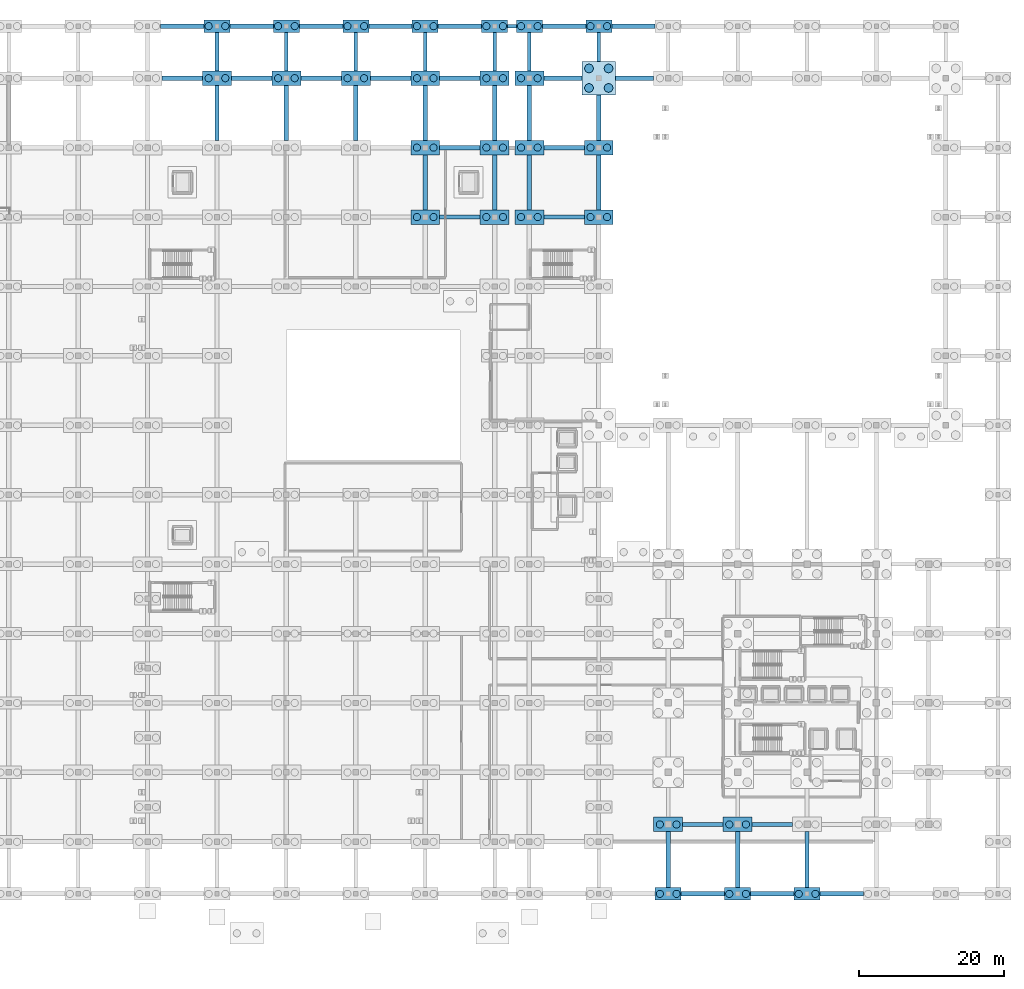
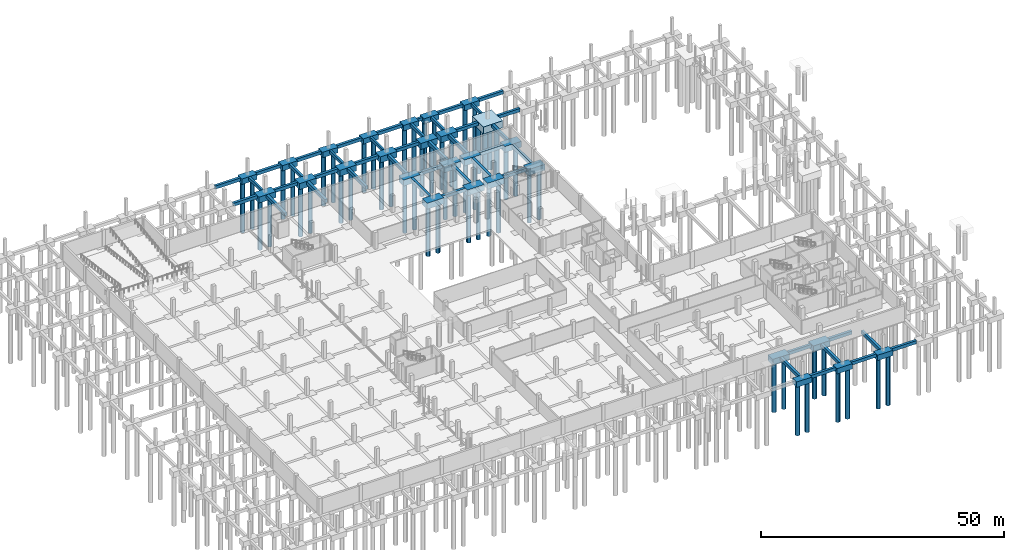
# One storey, part 8 of 54: 72 footings, 56 piles.
"""IFC4 building model written with IfcOpenShell, lengths in metres."""

from ifc_helpers import new_model, si_unit, direction, frame, origin, origin_2d, place, context, subcontext, project, spatial, rectangle, circle, extrude, material, material_profile, profile_set, type_object, element, save


model = new_model("IFC4")

# Units and contexts
model_context = context("Model", 3, precision=1e-05, world=origin(), true_north=direction((0.0, 1.0)))
body_context = subcontext(model_context, "Body", "Model", "MODEL_VIEW")
ifc_project = project(units=[si_unit("LENGTHUNIT", "METRE"), si_unit("AREAUNIT", "SQUARE_METRE"), si_unit("VOLUMEUNIT", "CUBIC_METRE"), si_unit("PLANEANGLEUNIT", "RADIAN"), si_unit("MASSUNIT", "GRAM", prefix="KILO")], contexts=[model_context])

# Site, building, storey
site_placement = place(None, origin())
site = spatial("IfcSite", under=ifc_project, at=site_placement, CompositionType="ELEMENT")
building_placement = place(site_placement, origin())
building = spatial("IfcBuilding", under=site, at=building_placement, Name="Zevrakil Square Congress Hotel", CompositionType="ELEMENT")
storey_placement = place(building_placement, frame((0.0, 0.0, -8.39990234375)))
storey = spatial("IfcBuildingStorey", under=building, at=storey_placement, Name="B2", CompositionType="ELEMENT", Elevation=-8.39990234375)

# Footings
ifc_material_1 = material(Name="Concrete C35/45", Category="concrete")
footing_type_1 = type_object("IfcFootingType", Name="FTG-PC2-360", PredefinedType="PILE_CAP", material=ifc_material_1)
for number, where, z_axis, x_axis, name in (
    (1, (64.800048828125, 120.0, -1.35009765625), (0.0, 0.0, 1.0), (1.0, 0.0, 0.0), "Pile cap PC2-111"),
    (2, (74.39990234375, 120.0, -1.35009765625), (0.0, 0.0, 1.0), (1.0, 0.0, 0.0), "Pile cap PC2-125"),
    (3, (84.0, 120.0, -1.35009765625), (0.0, 0.0, 1.0), (1.0, 0.0, 0.0), "Pile cap PC2-139"),
    (4, (93.60009765625, 120.0, -1.35009765625), (0.0, 0.0, 1.0), (1.0, 0.0, 0.0), "Pile cap PC2-153"),
    (5, (103.199951171875, 120.0, -1.35009765625), (0.0, 0.0, 1.0), (1.0, 0.0, 0.0), "Pile cap PC2-167"),
    (6, (108.0, 120.0, -1.35009765625), (0.0, 0.0, 1.0), (1.0, 0.0, 0.0), "Pile cap PC2-181"),
    (7, (117.60009765625, 120.0, -1.35009765625), (0.0, 0.0, 1.0), (1.0, 0.0, 0.0), "Pile cap PC2-195"),
    (8, (127.199951171875, 0.0, -1.35009765625), (0.0, 0.0, 1.0), (1.0, 0.0, 0.0), "Pile cap PC2-196"),
    (9, (136.800048828125, 0.0, -1.35009765625), (0.0, 0.0, 1.0), (1.0, 0.0, 0.0), "Pile cap PC2-210"),
    (10, (146.39990234375, 0.0, -1.35009765625), (0.0, 0.0, 1.0), (1.0, 0.0, 0.0), "Pile cap PC2-224"),
):
    element("IfcFooting", number, at=place(storey_placement, frame(where, z_axis=z_axis, x_axis=x_axis)), inside=storey, type_object=footing_type_1, Name=name, PredefinedType="PILE_CAP", context=body_context, shape_type="SweptSolid", body=[
        extrude(rectangle(XDim=3.60009765625, YDim=1.699951171875, at=origin_2d()), origin(), (0.0, 0.0, 1.0), 1.35009765625),
    ])
ifc_material_2 = material(Name="Concrete C35/45", Category="concrete")
footing_type_2 = type_object("IfcFootingType", Name="FTG-PC2-400", PredefinedType="PILE_CAP", material=ifc_material_2)
for number, where, z_axis, x_axis, name in (
    (11, (64.800048828125, 112.800048828125, -1.5), (0.0, 0.0, 1.0), (1.0, 0.0, 0.0), "Pile cap PC2-110"),
    (12, (74.39990234375, 112.800048828125, -1.5), (0.0, 0.0, 1.0), (1.0, 0.0, 0.0), "Pile cap PC2-124"),
    (13, (84.0, 112.800048828125, -1.5), (0.0, 0.0, 1.0), (1.0, 0.0, 0.0), "Pile cap PC2-138"),
    (14, (93.60009765625, 93.60009765625, -1.5), (0.0, 0.0, 1.0), (1.0, 0.0, 0.0), "Pile cap PC2-150"),
    (15, (93.60009765625, 103.199951171875, -1.5), (0.0, 0.0, 1.0), (1.0, 0.0, 0.0), "Pile cap PC2-151"),
    (16, (93.60009765625, 112.800048828125, -1.5), (0.0, 0.0, 1.0), (1.0, 0.0, 0.0), "Pile cap PC2-152"),
    (17, (103.199951171875, 93.60009765625, -1.5), (0.0, 0.0, 1.0), (1.0, 0.0, 0.0), "Pile cap PC2-164"),
    (18, (103.199951171875, 103.199951171875, -1.5), (0.0, 0.0, 1.0), (1.0, 0.0, 0.0), "Pile cap PC2-165"),
    (19, (103.199951171875, 112.800048828125, -1.5), (0.0, 0.0, 1.0), (1.0, 0.0, 0.0), "Pile cap PC2-166"),
    (20, (108.0, 93.60009765625, -1.5), (0.0, 0.0, 1.0), (1.0, 0.0, 0.0), "Pile cap PC2-178"),
    (21, (108.0, 103.199951171875, -1.5), (0.0, 0.0, 1.0), (1.0, 0.0, 0.0), "Pile cap PC2-179"),
    (22, (108.0, 112.800048828125, -1.5), (0.0, 0.0, 1.0), (1.0, 0.0, 0.0), "Pile cap PC2-180"),
    (23, (117.60009765625, 93.60009765625, -1.5), (0.0, 0.0, 1.0), (1.0, 0.0, 0.0), "Pile cap PC2-192"),
    (24, (117.60009765625, 103.199951171875, -1.5), (0.0, 0.0, 1.0), (1.0, 0.0, 0.0), "Pile cap PC2-193"),
    (25, (127.199951171875, 9.60009765625, -1.5), (0.0, 0.0, 1.0), (1.0, 0.0, 0.0), "Pile cap PC2-N127-009"),
    (26, (136.800048828125, 9.60009765625, -1.5), (0.0, 0.0, 1.0), (1.0, 0.0, 0.0), "Pile cap PC2-N136-009"),
):
    element("IfcFooting", number, at=place(storey_placement, frame(where, z_axis=z_axis, x_axis=x_axis)), inside=storey, type_object=footing_type_2, Name=name, PredefinedType="PILE_CAP", context=body_context, shape_type="SweptSolid", body=[
        extrude(rectangle(XDim=4.0, YDim=2.0, at=origin_2d()), origin(), (0.0, 0.0, 1.0), 1.5),
    ])
ifc_material_3 = material(Name="Concrete C35/45", Category="concrete")
footing_type_3 = type_object("IfcFootingType", Name="FTG-PC4-460", PredefinedType="PILE_CAP", material=ifc_material_3)
footing_1_placement = place(storey_placement, frame((117.60009765625, 112.800048828125, -1.75), z_axis=(0.0, 0.0, 1.0), x_axis=(1.0, 0.0, 0.0)))
element("IfcFooting", 27, at=footing_1_placement, inside=storey, type_object=footing_type_3, Name="Pile cap PC4-194", PredefinedType="PILE_CAP", context=body_context, shape_type="SweptSolid", body=[
    extrude(rectangle(XDim=4.60009765625, YDim=4.60009765625, at=origin_2d()), origin(), (0.0, 0.0, 1.0), 1.75),
])
ifc_material_4 = material(Name="Concrete C35/45", Category="concrete")
ifc_material_profile_1 = material_profile(ifc_material_4, rectangle(XDim=0.5, YDim=0.75, at=origin_2d()), Name="RC 500x750")
ifc_profile_set_1 = profile_set([ifc_material_profile_1], Name="Concrete C35/45")
footing_type_4 = type_object("IfcFootingType", Name="FTG-TIE-500x750", PredefinedType="FOOTING_BEAM", material=ifc_profile_set_1)
footing_2_placement = place(storey_placement, frame((105.0, 120.0, -0.375), z_axis=(1.0, 0.0, 0.0), x_axis=(0.0, 1.0, 0.0)))
element("IfcFooting", 28, at=footing_2_placement, inside=storey, type_object=footing_type_4, Name="Ground tie beam GB-208", PredefinedType="FOOTING_BEAM", context=body_context, shape_type="SweptSolid", body=[
    extrude(rectangle(XDim=0.5, YDim=0.75, at=origin_2d()), origin(), (0.0, 0.0, 1.0), 1.199951171875),
])
for number, where, z_axis, x_axis, name in (
    (29, (64.800048828125, 113.800048828125, -0.375), (0.0, 1.0, 0.0), (-1.0, 0.0, 0.0), "Ground tie beam GB-317"),
    (30, (74.39990234375, 113.800048828125, -0.375), (0.0, 1.0, 0.0), (-1.0, 0.0, 0.0), "Ground tie beam GB-327"),
    (31, (84.0, 113.800048828125, -0.375), (0.0, 1.0, 0.0), (-1.0, 0.0, 0.0), "Ground tie beam GB-337"),
    (32, (93.60009765625, 113.800048828125, -0.375), (0.0, 1.0, 0.0), (-1.0, 0.0, 0.0), "Ground tie beam GB-347"),
    (33, (103.199951171875, 113.800048828125, -0.375), (0.0, 1.0, 0.0), (-1.0, 0.0, 0.0), "Ground tie beam GB-360"),
    (34, (108.0, 113.800048828125, -0.375), (0.0, 1.0, 0.0), (-1.0, 0.0, 0.0), "Ground tie beam GB-373"),
):
    element("IfcFooting", number, at=place(storey_placement, frame(where, z_axis=z_axis, x_axis=x_axis)), inside=storey, type_object=footing_type_4, Name=name, PredefinedType="FOOTING_BEAM", context=body_context, shape_type="SweptSolid", body=[
        extrude(rectangle(XDim=0.5, YDim=0.75, at=origin_2d()), origin(), (0.0, 0.0, 1.0), 5.349853515625),
    ])
footing_3_placement = place(storey_placement, frame((117.60009765625, 115.10009765625, -0.375), z_axis=(0.0, 1.0, 0.0), x_axis=(-1.0, 0.0, 0.0)))
element("IfcFooting", 35, at=footing_3_placement, inside=storey, type_object=footing_type_4, Name="Ground tie beam GB-390", PredefinedType="FOOTING_BEAM", context=body_context, shape_type="SweptSolid", body=[
    extrude(rectangle(XDim=0.5, YDim=0.75, at=origin_2d()), origin(), (0.0, 0.0, 1.0), 4.0498046875),
])
ifc_material_5 = material(Name="Concrete C35/45", Category="concrete")
ifc_material_profile_2 = material_profile(ifc_material_5, rectangle(XDim=0.60009765625, YDim=0.800048828125, at=origin_2d()), Name="RC 600x800")
ifc_profile_set_2 = profile_set([ifc_material_profile_2], Name="Concrete C35/45")
footing_type_5 = type_object("IfcFootingType", Name="FTG-TIE-600x800", PredefinedType="FOOTING_BEAM", material=ifc_profile_set_2)
for number, where, z_axis, x_axis, name in (
    (36, (129.0, 0.0, -0.400146484375), (1.0, 0.0, 0.0), (0.0, 1.0, 0.0), "Ground tie beam GB-015"),
    (37, (138.60009765625, 0.0, -0.400146484375), (1.0, 0.0, 0.0), (0.0, 1.0, 0.0), "Ground tie beam GB-016"),
    (38, (148.199951171875, 0.0, -0.400146484375), (1.0, 0.0, 0.0), (0.0, 1.0, 0.0), "Ground tie beam GB-017"),
):
    element("IfcFooting", number, at=place(storey_placement, frame(where, z_axis=z_axis, x_axis=x_axis)), inside=storey, type_object=footing_type_5, Name=name, PredefinedType="FOOTING_BEAM", context=body_context, shape_type="SweptSolid", body=[
        extrude(rectangle(XDim=0.60009765625, YDim=0.800048828125, at=origin_2d()), origin(), (0.0, 0.0, 1.0), 6.0),
    ])
footing_4_placement = place(storey_placement, frame((129.199951171875, 9.60009765625, -0.400146484375), z_axis=(1.0, 0.0, 0.0), x_axis=(0.0, 1.0, 0.0)))
element("IfcFooting", 39, at=footing_4_placement, inside=storey, type_object=footing_type_5, Name="Ground tie beam GB-032", PredefinedType="FOOTING_BEAM", context=body_context, shape_type="SweptSolid", body=[
    extrude(rectangle(XDim=0.60009765625, YDim=0.800048828125, at=origin_2d()), origin(), (0.0, 0.0, 1.0), 5.60009765625),
])
for number, where, z_axis, x_axis, name in (
    (40, (138.800048828125, 9.60009765625, -0.400146484375), (1.0, 0.0, 0.0), (0.0, 1.0, 0.0), "Ground tie beam GB-033"),
    (41, (95.60009765625, 93.60009765625, -0.400146484375), (1.0, 0.0, 0.0), (0.0, 1.0, 0.0), "Ground tie beam GB-165"),
):
    element("IfcFooting", number, at=place(storey_placement, frame(where, z_axis=z_axis, x_axis=x_axis)), inside=storey, type_object=footing_type_5, Name=name, PredefinedType="FOOTING_BEAM", context=body_context, shape_type="SweptSolid", body=[
        extrude(rectangle(XDim=0.60009765625, YDim=0.800048828125, at=origin_2d()), origin(), (0.0, 0.0, 1.0), 5.599853515625),
    ])
footing_5_placement = place(storey_placement, frame((110.0, 93.60009765625, -0.400146484375), z_axis=(1.0, 0.0, 0.0), x_axis=(0.0, 1.0, 0.0)))
element("IfcFooting", 42, at=footing_5_placement, inside=storey, type_object=footing_type_5, Name="Ground tie beam GB-166", PredefinedType="FOOTING_BEAM", context=body_context, shape_type="SweptSolid", body=[
    extrude(rectangle(XDim=0.60009765625, YDim=0.800048828125, at=origin_2d()), origin(), (0.0, 0.0, 1.0), 5.60009765625),
])
footing_6_placement = place(storey_placement, frame((95.60009765625, 103.199951171875, -0.400146484375), z_axis=(1.0, 0.0, 0.0), x_axis=(0.0, 1.0, 0.0)))
element("IfcFooting", 43, at=footing_6_placement, inside=storey, type_object=footing_type_5, Name="Ground tie beam GB-177", PredefinedType="FOOTING_BEAM", context=body_context, shape_type="SweptSolid", body=[
    extrude(rectangle(XDim=0.60009765625, YDim=0.800048828125, at=origin_2d()), origin(), (0.0, 0.0, 1.0), 5.599853515625),
])
for number, where, z_axis, x_axis, name in (
    (44, (110.0, 103.199951171875, -0.400146484375), (1.0, 0.0, 0.0), (0.0, 1.0, 0.0), "Ground tie beam GB-178"),
    (45, (57.199951171875, 112.800048828125, -0.400146484375), (1.0, 0.0, 0.0), (0.0, 1.0, 0.0), "Ground tie beam GB-186"),
):
    element("IfcFooting", number, at=place(storey_placement, frame(where, z_axis=z_axis, x_axis=x_axis)), inside=storey, type_object=footing_type_5, Name=name, PredefinedType="FOOTING_BEAM", context=body_context, shape_type="SweptSolid", body=[
        extrude(rectangle(XDim=0.60009765625, YDim=0.800048828125, at=origin_2d()), origin(), (0.0, 0.0, 1.0), 5.60009765625),
    ])
footing_7_placement = place(storey_placement, frame((66.800048828125, 112.800048828125, -0.400146484375), z_axis=(1.0, 0.0, 0.0), x_axis=(0.0, 1.0, 0.0)))
element("IfcFooting", 46, at=footing_7_placement, inside=storey, type_object=footing_type_5, Name="Ground tie beam GB-187", PredefinedType="FOOTING_BEAM", context=body_context, shape_type="SweptSolid", body=[
    extrude(rectangle(XDim=0.60009765625, YDim=0.800048828125, at=origin_2d()), origin(), (0.0, 0.0, 1.0), 5.599853515625),
])
for number, where, z_axis, x_axis, name in (
    (47, (76.39990234375, 112.800048828125, -0.400146484375), (1.0, 0.0, 0.0), (0.0, 1.0, 0.0), "Ground tie beam GB-188"),
    (48, (86.0, 112.800048828125, -0.400146484375), (1.0, 0.0, 0.0), (0.0, 1.0, 0.0), "Ground tie beam GB-189"),
):
    element("IfcFooting", number, at=place(storey_placement, frame(where, z_axis=z_axis, x_axis=x_axis)), inside=storey, type_object=footing_type_5, Name=name, PredefinedType="FOOTING_BEAM", context=body_context, shape_type="SweptSolid", body=[
        extrude(rectangle(XDim=0.60009765625, YDim=0.800048828125, at=origin_2d()), origin(), (0.0, 0.0, 1.0), 5.60009765625),
    ])
footing_8_placement = place(storey_placement, frame((95.60009765625, 112.800048828125, -0.400146484375), z_axis=(1.0, 0.0, 0.0), x_axis=(0.0, 1.0, 0.0)))
element("IfcFooting", 49, at=footing_8_placement, inside=storey, type_object=footing_type_5, Name="Ground tie beam GB-190", PredefinedType="FOOTING_BEAM", context=body_context, shape_type="SweptSolid", body=[
    extrude(rectangle(XDim=0.60009765625, YDim=0.800048828125, at=origin_2d()), origin(), (0.0, 0.0, 1.0), 5.599853515625),
])
for number, where, z_axis, x_axis, name in (
    (50, (110.0, 112.800048828125, -0.400146484375), (1.0, 0.0, 0.0), (0.0, 1.0, 0.0), "Ground tie beam GB-191"),
    (51, (119.89990234375, 112.800048828125, -0.400146484375), (1.0, 0.0, 0.0), (0.0, 1.0, 0.0), "Ground tie beam GB-192"),
):
    element("IfcFooting", number, at=place(storey_placement, frame(where, z_axis=z_axis, x_axis=x_axis)), inside=storey, type_object=footing_type_5, Name=name, PredefinedType="FOOTING_BEAM", context=body_context, shape_type="SweptSolid", body=[
        extrude(rectangle(XDim=0.60009765625, YDim=0.800048828125, at=origin_2d()), origin(), (0.0, 0.0, 1.0), 5.300048828125),
    ])
for number, where, z_axis, x_axis, name in (
    (52, (57.0, 120.0, -0.400146484375), (1.0, 0.0, 0.0), (0.0, 1.0, 0.0), "Ground tie beam GB-203"),
    (53, (66.60009765625, 120.0, -0.400146484375), (1.0, 0.0, 0.0), (0.0, 1.0, 0.0), "Ground tie beam GB-204"),
    (54, (76.199951171875, 120.0, -0.400146484375), (1.0, 0.0, 0.0), (0.0, 1.0, 0.0), "Ground tie beam GB-205"),
    (55, (85.800048828125, 120.0, -0.400146484375), (1.0, 0.0, 0.0), (0.0, 1.0, 0.0), "Ground tie beam GB-206"),
    (56, (95.39990234375, 120.0, -0.400146484375), (1.0, 0.0, 0.0), (0.0, 1.0, 0.0), "Ground tie beam GB-207"),
    (57, (109.800048828125, 120.0, -0.400146484375), (1.0, 0.0, 0.0), (0.0, 1.0, 0.0), "Ground tie beam GB-209"),
    (58, (119.39990234375, 120.0, -0.400146484375), (1.0, 0.0, 0.0), (0.0, 1.0, 0.0), "Ground tie beam GB-210"),
):
    element("IfcFooting", number, at=place(storey_placement, frame(where, z_axis=z_axis, x_axis=x_axis)), inside=storey, type_object=footing_type_5, Name=name, PredefinedType="FOOTING_BEAM", context=body_context, shape_type="SweptSolid", body=[
        extrude(rectangle(XDim=0.60009765625, YDim=0.800048828125, at=origin_2d()), origin(), (0.0, 0.0, 1.0), 6.0),
    ])
for number, where, z_axis, x_axis, name in (
    (59, (64.800048828125, 104.199951171875, -0.400146484375), (0.0, 1.0, 0.0), (-1.0, 0.0, 0.0), "Ground tie beam GB-316"),
    (60, (74.39990234375, 104.199951171875, -0.400146484375), (0.0, 1.0, 0.0), (-1.0, 0.0, 0.0), "Ground tie beam GB-326"),
    (61, (84.0, 104.199951171875, -0.400146484375), (0.0, 1.0, 0.0), (-1.0, 0.0, 0.0), "Ground tie beam GB-336"),
):
    element("IfcFooting", number, at=place(storey_placement, frame(where, z_axis=z_axis, x_axis=x_axis)), inside=storey, type_object=footing_type_5, Name=name, PredefinedType="FOOTING_BEAM", context=body_context, shape_type="SweptSolid", body=[
        extrude(rectangle(XDim=0.60009765625, YDim=0.800048828125, at=origin_2d()), origin(), (0.0, 0.0, 1.0), 7.60009765625),
    ])
footing_9_placement = place(storey_placement, frame((93.60009765625, 94.60009765625, -0.400146484375), z_axis=(0.0, 1.0, 0.0), x_axis=(-1.0, 0.0, 0.0)))
element("IfcFooting", 62, at=footing_9_placement, inside=storey, type_object=footing_type_5, Name="Ground tie beam GB-345", PredefinedType="FOOTING_BEAM", context=body_context, shape_type="SweptSolid", body=[
    extrude(rectangle(XDim=0.60009765625, YDim=0.800048828125, at=origin_2d()), origin(), (0.0, 0.0, 1.0), 7.599853515625),
])
footing_10_placement = place(storey_placement, frame((93.60009765625, 104.199951171875, -0.400146484375), z_axis=(0.0, 1.0, 0.0), x_axis=(-1.0, 0.0, 0.0)))
element("IfcFooting", 63, at=footing_10_placement, inside=storey, type_object=footing_type_5, Name="Ground tie beam GB-346", PredefinedType="FOOTING_BEAM", context=body_context, shape_type="SweptSolid", body=[
    extrude(rectangle(XDim=0.60009765625, YDim=0.800048828125, at=origin_2d()), origin(), (0.0, 0.0, 1.0), 7.60009765625),
])
footing_11_placement = place(storey_placement, frame((103.199951171875, 94.60009765625, -0.400146484375), z_axis=(0.0, 1.0, 0.0), x_axis=(-1.0, 0.0, 0.0)))
element("IfcFooting", 64, at=footing_11_placement, inside=storey, type_object=footing_type_5, Name="Ground tie beam GB-358", PredefinedType="FOOTING_BEAM", context=body_context, shape_type="SweptSolid", body=[
    extrude(rectangle(XDim=0.60009765625, YDim=0.800048828125, at=origin_2d()), origin(), (0.0, 0.0, 1.0), 7.599853515625),
])
footing_12_placement = place(storey_placement, frame((103.199951171875, 104.199951171875, -0.400146484375), z_axis=(0.0, 1.0, 0.0), x_axis=(-1.0, 0.0, 0.0)))
element("IfcFooting", 65, at=footing_12_placement, inside=storey, type_object=footing_type_5, Name="Ground tie beam GB-359", PredefinedType="FOOTING_BEAM", context=body_context, shape_type="SweptSolid", body=[
    extrude(rectangle(XDim=0.60009765625, YDim=0.800048828125, at=origin_2d()), origin(), (0.0, 0.0, 1.0), 7.60009765625),
])
footing_13_placement = place(storey_placement, frame((108.0, 94.60009765625, -0.400146484375), z_axis=(0.0, 1.0, 0.0), x_axis=(-1.0, 0.0, 0.0)))
element("IfcFooting", 66, at=footing_13_placement, inside=storey, type_object=footing_type_5, Name="Ground tie beam GB-371", PredefinedType="FOOTING_BEAM", context=body_context, shape_type="SweptSolid", body=[
    extrude(rectangle(XDim=0.60009765625, YDim=0.800048828125, at=origin_2d()), origin(), (0.0, 0.0, 1.0), 7.599853515625),
])
footing_14_placement = place(storey_placement, frame((108.0, 104.199951171875, -0.400146484375), z_axis=(0.0, 1.0, 0.0), x_axis=(-1.0, 0.0, 0.0)))
element("IfcFooting", 67, at=footing_14_placement, inside=storey, type_object=footing_type_5, Name="Ground tie beam GB-372", PredefinedType="FOOTING_BEAM", context=body_context, shape_type="SweptSolid", body=[
    extrude(rectangle(XDim=0.60009765625, YDim=0.800048828125, at=origin_2d()), origin(), (0.0, 0.0, 1.0), 7.60009765625),
])
footing_15_placement = place(storey_placement, frame((117.60009765625, 94.60009765625, -0.400146484375), z_axis=(0.0, 1.0, 0.0), x_axis=(-1.0, 0.0, 0.0)))
element("IfcFooting", 68, at=footing_15_placement, inside=storey, type_object=footing_type_5, Name="Ground tie beam GB-388", PredefinedType="FOOTING_BEAM", context=body_context, shape_type="SweptSolid", body=[
    extrude(rectangle(XDim=0.60009765625, YDim=0.800048828125, at=origin_2d()), origin(), (0.0, 0.0, 1.0), 7.599853515625),
])
footing_16_placement = place(storey_placement, frame((117.60009765625, 104.199951171875, -0.400146484375), z_axis=(0.0, 1.0, 0.0), x_axis=(-1.0, 0.0, 0.0)))
element("IfcFooting", 69, at=footing_16_placement, inside=storey, type_object=footing_type_5, Name="Ground tie beam GB-389", PredefinedType="FOOTING_BEAM", context=body_context, shape_type="SweptSolid", body=[
    extrude(rectangle(XDim=0.60009765625, YDim=0.800048828125, at=origin_2d()), origin(), (0.0, 0.0, 1.0), 6.300048828125),
])
for number, where, z_axis, x_axis, name in (
    (70, (127.199951171875, 0.85009765625, -0.400146484375), (0.0, 1.0, 0.0), (-1.0, 0.0, 0.0), "Ground tie beam GB-391"),
    (71, (136.800048828125, 0.85009765625, -0.400146484375), (0.0, 1.0, 0.0), (-1.0, 0.0, 0.0), "Ground tie beam GB-398"),
    (72, (146.39990234375, 0.85009765625, -0.400146484375), (0.0, 1.0, 0.0), (-1.0, 0.0, 0.0), "Ground tie beam GB-405"),
):
    element("IfcFooting", number, at=place(storey_placement, frame(where, z_axis=z_axis, x_axis=x_axis)), inside=storey, type_object=footing_type_5, Name=name, PredefinedType="FOOTING_BEAM", context=body_context, shape_type="SweptSolid", body=[
        extrude(rectangle(XDim=0.60009765625, YDim=0.800048828125, at=origin_2d()), origin(), (0.0, 0.0, 1.0), 7.75),
    ])

# Piles
ifc_material_6 = material(Name="Concrete C35/45", Category="concrete")
ifc_material_profile_3 = material_profile(ifc_material_6, circle(Radius=0.5, at=origin_2d()), Name="PILE D1000")
ifc_profile_set_3 = profile_set([ifc_material_profile_3], Name="Concrete C35/45")
pile_type_1 = type_object("IfcPileType", Name="PILE-BORED-1000", PredefinedType="BORED", material=ifc_profile_set_3)
for number, where, z_axis, x_axis, name in (
    (73, (63.64990234375, 112.800048828125, -1.400146484375), (0.0, 0.0, -1.0), (1.0, 0.0, 0.0), "Bored pile PC2-110-1"),
    (74, (65.949951171875, 112.800048828125, -1.400146484375), (0.0, 0.0, -1.0), (1.0, 0.0, 0.0), "Bored pile PC2-110-2"),
):
    element("IfcPile", number, at=place(storey_placement, frame(where, z_axis=z_axis, x_axis=x_axis)), inside=storey, type_object=pile_type_1, Name=name, PredefinedType="BORED", context=body_context, shape_type="SweptSolid", body=[
        extrude(circle(Radius=0.5, at=origin_2d()), origin(), (0.0, 0.0, 1.0), 12.5),
    ])
for number, where, z_axis, x_axis, name in (
    (75, (63.64990234375, 120.0, -1.25), (0.0, 0.0, -1.0), (1.0, 0.0, 0.0), "Bored pile PC2-111-1"),
    (76, (65.949951171875, 120.0, -1.25), (0.0, 0.0, -1.0), (1.0, 0.0, 0.0), "Bored pile PC2-111-2"),
):
    element("IfcPile", number, at=place(storey_placement, frame(where, z_axis=z_axis, x_axis=x_axis)), inside=storey, type_object=pile_type_1, Name=name, PredefinedType="BORED", context=body_context, shape_type="SweptSolid", body=[
        extrude(circle(Radius=0.5, at=origin_2d()), origin(), (0.0, 0.0, 1.0), 12.64990234375),
    ])
for number, where, z_axis, x_axis, name in (
    (77, (73.25, 112.800048828125, -1.400146484375), (0.0, 0.0, -1.0), (1.0, 0.0, 0.0), "Bored pile PC2-124-1"),
    (78, (75.550048828125, 112.800048828125, -1.400146484375), (0.0, 0.0, -1.0), (1.0, 0.0, 0.0), "Bored pile PC2-124-2"),
):
    element("IfcPile", number, at=place(storey_placement, frame(where, z_axis=z_axis, x_axis=x_axis)), inside=storey, type_object=pile_type_1, Name=name, PredefinedType="BORED", context=body_context, shape_type="SweptSolid", body=[
        extrude(circle(Radius=0.5, at=origin_2d()), origin(), (0.0, 0.0, 1.0), 12.5),
    ])
for number, where, z_axis, x_axis, name in (
    (79, (73.25, 120.0, -1.25), (0.0, 0.0, -1.0), (1.0, 0.0, 0.0), "Bored pile PC2-125-1"),
    (80, (75.550048828125, 120.0, -1.25), (0.0, 0.0, -1.0), (1.0, 0.0, 0.0), "Bored pile PC2-125-2"),
):
    element("IfcPile", number, at=place(storey_placement, frame(where, z_axis=z_axis, x_axis=x_axis)), inside=storey, type_object=pile_type_1, Name=name, PredefinedType="BORED", context=body_context, shape_type="SweptSolid", body=[
        extrude(circle(Radius=0.5, at=origin_2d()), origin(), (0.0, 0.0, 1.0), 12.64990234375),
    ])
for number, where, z_axis, x_axis, name in (
    (81, (82.85009765625, 112.800048828125, -1.400146484375), (0.0, 0.0, -1.0), (1.0, 0.0, 0.0), "Bored pile PC2-138-1"),
    (82, (85.14990234375, 112.800048828125, -1.400146484375), (0.0, 0.0, -1.0), (1.0, 0.0, 0.0), "Bored pile PC2-138-2"),
):
    element("IfcPile", number, at=place(storey_placement, frame(where, z_axis=z_axis, x_axis=x_axis)), inside=storey, type_object=pile_type_1, Name=name, PredefinedType="BORED", context=body_context, shape_type="SweptSolid", body=[
        extrude(circle(Radius=0.5, at=origin_2d()), origin(), (0.0, 0.0, 1.0), 12.5),
    ])
for number, where, z_axis, x_axis, name in (
    (83, (82.85009765625, 120.0, -1.25), (0.0, 0.0, -1.0), (1.0, 0.0, 0.0), "Bored pile PC2-139-1"),
    (84, (85.14990234375, 120.0, -1.25), (0.0, 0.0, -1.0), (1.0, 0.0, 0.0), "Bored pile PC2-139-2"),
):
    element("IfcPile", number, at=place(storey_placement, frame(where, z_axis=z_axis, x_axis=x_axis)), inside=storey, type_object=pile_type_1, Name=name, PredefinedType="BORED", context=body_context, shape_type="SweptSolid", body=[
        extrude(circle(Radius=0.5, at=origin_2d()), origin(), (0.0, 0.0, 1.0), 12.64990234375),
    ])
for number, where, z_axis, x_axis, name in (
    (85, (92.449951171875, 93.60009765625, -1.400146484375), (0.0, 0.0, -1.0), (1.0, 0.0, 0.0), "Bored pile PC2-150-1"),
    (86, (94.75, 93.60009765625, -1.400146484375), (0.0, 0.0, -1.0), (1.0, 0.0, 0.0), "Bored pile PC2-150-2"),
    (87, (92.449951171875, 103.199951171875, -1.400146484375), (0.0, 0.0, -1.0), (1.0, 0.0, 0.0), "Bored pile PC2-151-1"),
    (88, (94.75, 103.199951171875, -1.400146484375), (0.0, 0.0, -1.0), (1.0, 0.0, 0.0), "Bored pile PC2-151-2"),
    (89, (92.449951171875, 112.800048828125, -1.400146484375), (0.0, 0.0, -1.0), (1.0, 0.0, 0.0), "Bored pile PC2-152-1"),
    (90, (94.75, 112.800048828125, -1.400146484375), (0.0, 0.0, -1.0), (1.0, 0.0, 0.0), "Bored pile PC2-152-2"),
):
    element("IfcPile", number, at=place(storey_placement, frame(where, z_axis=z_axis, x_axis=x_axis)), inside=storey, type_object=pile_type_1, Name=name, PredefinedType="BORED", context=body_context, shape_type="SweptSolid", body=[
        extrude(circle(Radius=0.5, at=origin_2d()), origin(), (0.0, 0.0, 1.0), 12.5),
    ])
for number, where, z_axis, x_axis, name in (
    (91, (92.449951171875, 120.0, -1.25), (0.0, 0.0, -1.0), (1.0, 0.0, 0.0), "Bored pile PC2-153-1"),
    (92, (94.75, 120.0, -1.25), (0.0, 0.0, -1.0), (1.0, 0.0, 0.0), "Bored pile PC2-153-2"),
):
    element("IfcPile", number, at=place(storey_placement, frame(where, z_axis=z_axis, x_axis=x_axis)), inside=storey, type_object=pile_type_1, Name=name, PredefinedType="BORED", context=body_context, shape_type="SweptSolid", body=[
        extrude(circle(Radius=0.5, at=origin_2d()), origin(), (0.0, 0.0, 1.0), 12.64990234375),
    ])
for number, where, z_axis, x_axis, name in (
    (93, (102.050048828125, 93.60009765625, -1.400146484375), (0.0, 0.0, -1.0), (1.0, 0.0, 0.0), "Bored pile PC2-164-1"),
    (94, (104.35009765625, 93.60009765625, -1.400146484375), (0.0, 0.0, -1.0), (1.0, 0.0, 0.0), "Bored pile PC2-164-2"),
    (95, (102.050048828125, 103.199951171875, -1.400146484375), (0.0, 0.0, -1.0), (1.0, 0.0, 0.0), "Bored pile PC2-165-1"),
    (96, (104.35009765625, 103.199951171875, -1.400146484375), (0.0, 0.0, -1.0), (1.0, 0.0, 0.0), "Bored pile PC2-165-2"),
    (97, (102.050048828125, 112.800048828125, -1.400146484375), (0.0, 0.0, -1.0), (1.0, 0.0, 0.0), "Bored pile PC2-166-1"),
    (98, (104.35009765625, 112.800048828125, -1.400146484375), (0.0, 0.0, -1.0), (1.0, 0.0, 0.0), "Bored pile PC2-166-2"),
):
    element("IfcPile", number, at=place(storey_placement, frame(where, z_axis=z_axis, x_axis=x_axis)), inside=storey, type_object=pile_type_1, Name=name, PredefinedType="BORED", context=body_context, shape_type="SweptSolid", body=[
        extrude(circle(Radius=0.5, at=origin_2d()), origin(), (0.0, 0.0, 1.0), 12.5),
    ])
for number, where, z_axis, x_axis, name in (
    (99, (102.050048828125, 120.0, -1.25), (0.0, 0.0, -1.0), (1.0, 0.0, 0.0), "Bored pile PC2-167-1"),
    (100, (104.35009765625, 120.0, -1.25), (0.0, 0.0, -1.0), (1.0, 0.0, 0.0), "Bored pile PC2-167-2"),
):
    element("IfcPile", number, at=place(storey_placement, frame(where, z_axis=z_axis, x_axis=x_axis)), inside=storey, type_object=pile_type_1, Name=name, PredefinedType="BORED", context=body_context, shape_type="SweptSolid", body=[
        extrude(circle(Radius=0.5, at=origin_2d()), origin(), (0.0, 0.0, 1.0), 12.64990234375),
    ])
for number, where, z_axis, x_axis, name in (
    (101, (106.85009765625, 93.60009765625, -1.400146484375), (0.0, 0.0, -1.0), (1.0, 0.0, 0.0), "Bored pile PC2-178-1"),
    (102, (109.14990234375, 93.60009765625, -1.400146484375), (0.0, 0.0, -1.0), (1.0, 0.0, 0.0), "Bored pile PC2-178-2"),
    (103, (106.85009765625, 103.199951171875, -1.400146484375), (0.0, 0.0, -1.0), (1.0, 0.0, 0.0), "Bored pile PC2-179-1"),
    (104, (109.14990234375, 103.199951171875, -1.400146484375), (0.0, 0.0, -1.0), (1.0, 0.0, 0.0), "Bored pile PC2-179-2"),
    (105, (106.85009765625, 112.800048828125, -1.400146484375), (0.0, 0.0, -1.0), (1.0, 0.0, 0.0), "Bored pile PC2-180-1"),
    (106, (109.14990234375, 112.800048828125, -1.400146484375), (0.0, 0.0, -1.0), (1.0, 0.0, 0.0), "Bored pile PC2-180-2"),
):
    element("IfcPile", number, at=place(storey_placement, frame(where, z_axis=z_axis, x_axis=x_axis)), inside=storey, type_object=pile_type_1, Name=name, PredefinedType="BORED", context=body_context, shape_type="SweptSolid", body=[
        extrude(circle(Radius=0.5, at=origin_2d()), origin(), (0.0, 0.0, 1.0), 12.5),
    ])
for number, where, z_axis, x_axis, name in (
    (107, (106.85009765625, 120.0, -1.25), (0.0, 0.0, -1.0), (1.0, 0.0, 0.0), "Bored pile PC2-181-1"),
    (108, (109.14990234375, 120.0, -1.25), (0.0, 0.0, -1.0), (1.0, 0.0, 0.0), "Bored pile PC2-181-2"),
):
    element("IfcPile", number, at=place(storey_placement, frame(where, z_axis=z_axis, x_axis=x_axis)), inside=storey, type_object=pile_type_1, Name=name, PredefinedType="BORED", context=body_context, shape_type="SweptSolid", body=[
        extrude(circle(Radius=0.5, at=origin_2d()), origin(), (0.0, 0.0, 1.0), 12.64990234375),
    ])
for number, where, z_axis, x_axis, name in (
    (109, (116.449951171875, 93.60009765625, -1.400146484375), (0.0, 0.0, -1.0), (1.0, 0.0, 0.0), "Bored pile PC2-192-1"),
    (110, (118.75, 93.60009765625, -1.400146484375), (0.0, 0.0, -1.0), (1.0, 0.0, 0.0), "Bored pile PC2-192-2"),
    (111, (116.449951171875, 103.199951171875, -1.400146484375), (0.0, 0.0, -1.0), (1.0, 0.0, 0.0), "Bored pile PC2-193-1"),
    (112, (118.75, 103.199951171875, -1.400146484375), (0.0, 0.0, -1.0), (1.0, 0.0, 0.0), "Bored pile PC2-193-2"),
):
    element("IfcPile", number, at=place(storey_placement, frame(where, z_axis=z_axis, x_axis=x_axis)), inside=storey, type_object=pile_type_1, Name=name, PredefinedType="BORED", context=body_context, shape_type="SweptSolid", body=[
        extrude(circle(Radius=0.5, at=origin_2d()), origin(), (0.0, 0.0, 1.0), 12.5),
    ])
for number, where, z_axis, x_axis, name in (
    (113, (116.449951171875, 120.0, -1.25), (0.0, 0.0, -1.0), (1.0, 0.0, 0.0), "Bored pile PC2-195-1"),
    (114, (118.75, 120.0, -1.25), (0.0, 0.0, -1.0), (1.0, 0.0, 0.0), "Bored pile PC2-195-2"),
    (115, (126.050048828125, 0.0, -1.25), (0.0, 0.0, -1.0), (1.0, 0.0, 0.0), "Bored pile PC2-196-1"),
    (116, (128.35009765625, 0.0, -1.25), (0.0, 0.0, -1.0), (1.0, 0.0, 0.0), "Bored pile PC2-196-2"),
):
    element("IfcPile", number, at=place(storey_placement, frame(where, z_axis=z_axis, x_axis=x_axis)), inside=storey, type_object=pile_type_1, Name=name, PredefinedType="BORED", context=body_context, shape_type="SweptSolid", body=[
        extrude(circle(Radius=0.5, at=origin_2d()), origin(), (0.0, 0.0, 1.0), 12.64990234375),
    ])
for number, where, z_axis, x_axis, name in (
    (117, (126.050048828125, 9.60009765625, -1.400146484375), (0.0, 0.0, -1.0), (1.0, 0.0, 0.0), "Bored pile PC2-N127-009-1"),
    (118, (128.35009765625, 9.60009765625, -1.400146484375), (0.0, 0.0, -1.0), (1.0, 0.0, 0.0), "Bored pile PC2-N127-009-2"),
):
    element("IfcPile", number, at=place(storey_placement, frame(where, z_axis=z_axis, x_axis=x_axis)), inside=storey, type_object=pile_type_1, Name=name, PredefinedType="BORED", context=body_context, shape_type="SweptSolid", body=[
        extrude(circle(Radius=0.5, at=origin_2d()), origin(), (0.0, 0.0, 1.0), 12.5),
    ])
for number, where, z_axis, x_axis, name in (
    (119, (135.64990234375, 0.0, -1.25), (0.0, 0.0, -1.0), (1.0, 0.0, 0.0), "Bored pile PC2-210-1"),
    (120, (137.949951171875, 0.0, -1.25), (0.0, 0.0, -1.0), (1.0, 0.0, 0.0), "Bored pile PC2-210-2"),
):
    element("IfcPile", number, at=place(storey_placement, frame(where, z_axis=z_axis, x_axis=x_axis)), inside=storey, type_object=pile_type_1, Name=name, PredefinedType="BORED", context=body_context, shape_type="SweptSolid", body=[
        extrude(circle(Radius=0.5, at=origin_2d()), origin(), (0.0, 0.0, 1.0), 12.64990234375),
    ])
for number, where, z_axis, x_axis, name in (
    (121, (135.64990234375, 9.60009765625, -1.400146484375), (0.0, 0.0, -1.0), (1.0, 0.0, 0.0), "Bored pile PC2-N136-009-1"),
    (122, (137.949951171875, 9.60009765625, -1.400146484375), (0.0, 0.0, -1.0), (1.0, 0.0, 0.0), "Bored pile PC2-N136-009-2"),
):
    element("IfcPile", number, at=place(storey_placement, frame(where, z_axis=z_axis, x_axis=x_axis)), inside=storey, type_object=pile_type_1, Name=name, PredefinedType="BORED", context=body_context, shape_type="SweptSolid", body=[
        extrude(circle(Radius=0.5, at=origin_2d()), origin(), (0.0, 0.0, 1.0), 12.5),
    ])
for number, where, z_axis, x_axis, name in (
    (123, (145.25, 0.0, -1.25), (0.0, 0.0, -1.0), (1.0, 0.0, 0.0), "Bored pile PC2-224-1"),
    (124, (147.550048828125, 0.0, -1.25), (0.0, 0.0, -1.0), (1.0, 0.0, 0.0), "Bored pile PC2-224-2"),
):
    element("IfcPile", number, at=place(storey_placement, frame(where, z_axis=z_axis, x_axis=x_axis)), inside=storey, type_object=pile_type_1, Name=name, PredefinedType="BORED", context=body_context, shape_type="SweptSolid", body=[
        extrude(circle(Radius=0.5, at=origin_2d()), origin(), (0.0, 0.0, 1.0), 12.64990234375),
    ])
ifc_material_7 = material(Name="Concrete C35/45", Category="concrete")
ifc_material_profile_4 = material_profile(ifc_material_7, circle(Radius=0.60009765625, at=origin_2d()), Name="PILE D1200")
ifc_profile_set_4 = profile_set([ifc_material_profile_4], Name="Concrete C35/45")
pile_type_2 = type_object("IfcPileType", Name="PILE-BORED-1200", PredefinedType="BORED", material=ifc_profile_set_4)
for number, where, z_axis, x_axis, name in (
    (125, (116.25, 111.449951171875, -1.650146484375), (0.0, 0.0, -1.0), (1.0, 0.0, 0.0), "Bored pile PC4-194-1"),
    (126, (118.949951171875, 111.449951171875, -1.650146484375), (0.0, 0.0, -1.0), (1.0, 0.0, 0.0), "Bored pile PC4-194-2"),
    (127, (116.25, 114.14990234375, -1.650146484375), (0.0, 0.0, -1.0), (1.0, 0.0, 0.0), "Bored pile PC4-194-3"),
    (128, (118.949951171875, 114.14990234375, -1.650146484375), (0.0, 0.0, -1.0), (1.0, 0.0, 0.0), "Bored pile PC4-194-4"),
):
    element("IfcPile", number, at=place(storey_placement, frame(where, z_axis=z_axis, x_axis=x_axis)), inside=storey, type_object=pile_type_2, Name=name, PredefinedType="BORED", context=body_context, shape_type="SweptSolid", body=[
        extrude(circle(Radius=0.60009765625, at=origin_2d()), origin(), (0.0, 0.0, 1.0), 12.25),
    ])

save(model, "model.ifc")
